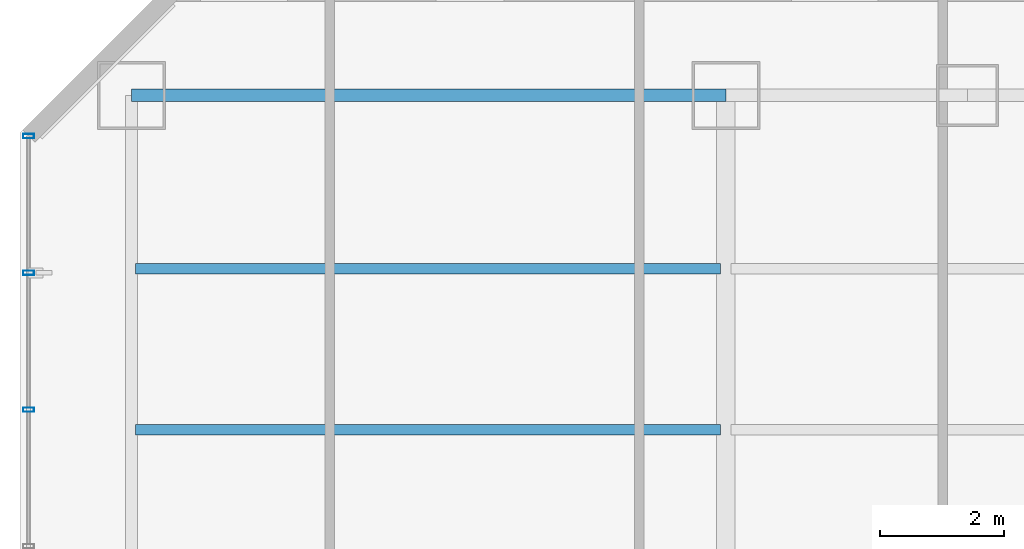
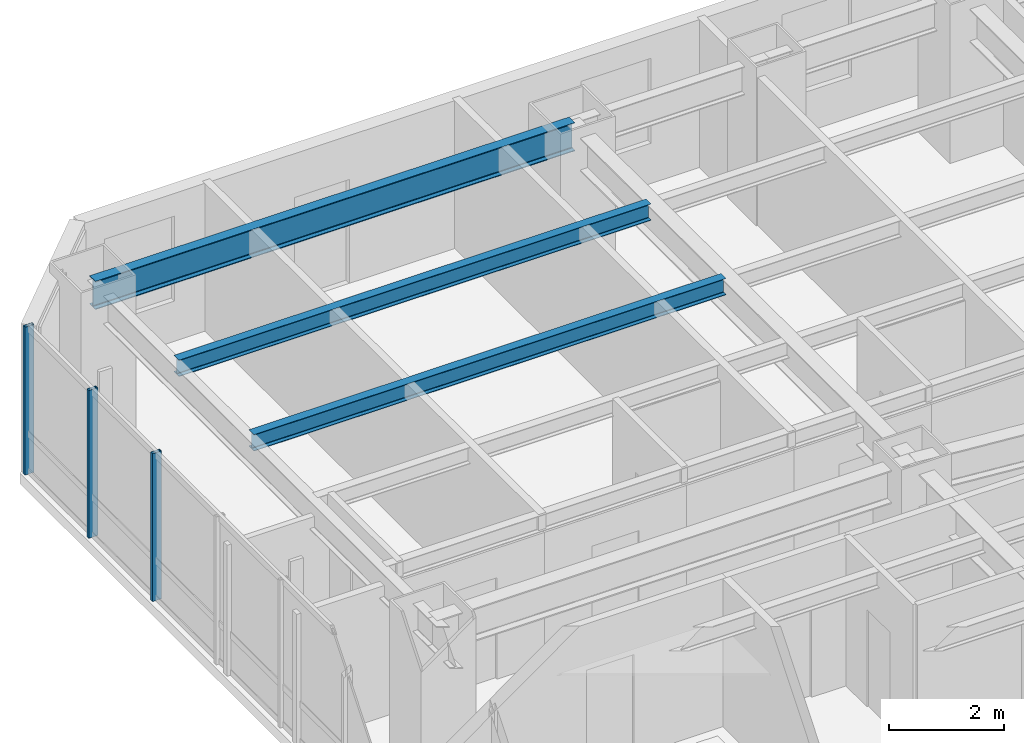
# One storey, part 16 of 38: 3 beams, 3 members, 1 element without a shape of its own.
"""IFC4 building model written with IfcOpenShell, lengths in metres."""

from ifc_helpers import new_model, si_unit, direction, frame, origin, origin_2d, place, context, subcontext, project, spatial, hollow_rectangle, i_section, extrude, material, layer, layer_set, material_profile, profile_set, type_object, element, aggregate, save


model = new_model("IFC4")

# Units and contexts
model_context = context("Model", 3, precision=1e-05, world=origin(), true_north=direction((0.0, 1.0)))
body_context = subcontext(model_context, "Body", "Model", "MODEL_VIEW")
ifc_project = project(units=[si_unit("LENGTHUNIT", "METRE"), si_unit("AREAUNIT", "SQUARE_METRE"), si_unit("VOLUMEUNIT", "CUBIC_METRE"), si_unit("PLANEANGLEUNIT", "RADIAN"), si_unit("MASSUNIT", "GRAM", prefix="KILO")], contexts=[model_context])

# Site, building, storey
site_placement = place(None, origin())
site = spatial("IfcSite", under=ifc_project, at=site_placement, CompositionType="ELEMENT")
building_placement = place(site_placement, origin())
building = spatial("IfcBuilding", under=site, at=building_placement, Name="Hatsunagi Terrace Concourse", CompositionType="ELEMENT")
storey_placement = place(building_placement, frame((0.0, 0.0, 60.050048828125)))
storey = spatial("IfcBuildingStorey", under=building, at=storey_placement, Name="L15", CompositionType="ELEMENT", Elevation=60.050048828125)

# Curtain wall, members
ifc_material_1 = material(Name="Anodised Aluminium Alloy 6063-T5", Category="aluminium")
ifc_layer = layer(ifc_material_1, 0.199951171875)
ifc_layer_set = layer_set([ifc_layer], Name="HotelFacade_CW02")
curtain_wall_type = type_object("IfcCurtainWallType", Name="HotelFacade_CW02", PredefinedType="NOTDEFINED", material=ifc_layer_set)
curtain_wall_placement = place(storey_placement, origin())
curtain_wall = element("IfcCurtainWall", 1, at=curtain_wall_placement, inside=storey, type_object=curtain_wall_type, Name="Unitised Curtain Wall CW-02 CW-L15-09", PredefinedType="NOTDEFINED")
ifc_material_2 = material(Name="Anodised Aluminium Alloy 6063-T5", Category="aluminium")
ifc_material_profile_1 = material_profile(ifc_material_2, hollow_rectangle(XDim=0.070068359375, YDim=0.179931640625, WallThickness=0.00390625, at=origin_2d()), Name="ALU-MUL-180x70x4")
ifc_profile_set_1 = profile_set([ifc_material_profile_1], Name="Anodised Aluminium Alloy 6063-T5")
member_type = type_object("IfcMemberType", Name="CurtainWallMullion_180x70", PredefinedType="MULLION", material=ifc_profile_set_1)
member_1_placement = place(storey_placement, frame((0.139892578125, 43.52490234375, 0.0), z_axis=(0.0, 0.0, 1.0), x_axis=(0.0, 1.0, 0.0)))
member_1 = element("IfcMember", 2, at=member_1_placement, type_object=member_type, Name="Curtain Wall Mullion MUL-02", PredefinedType="MULLION", context=body_context, shape_type="SweptSolid", body=[
    extrude(hollow_rectangle(XDim=0.070068359375, YDim=0.179931640625, WallThickness=0.00390625, at=origin_2d()), origin(), (0.0, 0.0, 1.0), 3.1298828125),
])
member_2_placement = place(storey_placement, frame((0.139892578125, 45.73388671875, 0.0), z_axis=(0.0, 0.0, 1.0), x_axis=(0.0, 1.0, 0.0)))
member_2 = element("IfcMember", 3, at=member_2_placement, type_object=member_type, Name="Curtain Wall Mullion MUL-02", PredefinedType="MULLION", context=body_context, shape_type="SweptSolid", body=[
    extrude(hollow_rectangle(XDim=0.070068359375, YDim=0.179931640625, WallThickness=0.00390625, at=origin_2d()), origin(), (0.0, 0.0, 1.0), 3.1298828125),
])
member_3_placement = place(storey_placement, frame((0.139892578125, 47.94189453125, 0.0), z_axis=(0.0, 0.0, 1.0), x_axis=(0.0, 1.0, 0.0)))
member_3 = element("IfcMember", 4, at=member_3_placement, type_object=member_type, Name="Curtain Wall Mullion MUL-02", PredefinedType="MULLION", context=body_context, shape_type="SweptSolid", body=[
    extrude(hollow_rectangle(XDim=0.070068359375, YDim=0.179931640625, WallThickness=0.00390625, at=origin_2d()), origin(), (0.0, 0.0, 1.0), 3.1298828125),
])
aggregate(curtain_wall, [member_1, member_2, member_3])

# Beams
ifc_material_3 = material(Name="Steel SN490B", Category="steel")
ifc_material_profile_2 = material_profile(ifc_material_3, i_section(OverallWidth=0.175048828125, OverallDepth=0.35009765625, WebThickness=0.007080078125, FlangeThickness=0.010986328125, FilletRadius=0.012939453125, at=origin_2d()), Name="H-350x175x7x11")
ifc_profile_set_2 = profile_set([ifc_material_profile_2], Name="Steel SN490B")
beam_type_1 = type_object("IfcBeamType", Name="HotelJoist_H_350x175", PredefinedType="JOIST", material=ifc_profile_set_2)
for number, where, z_axis, x_axis, name in (
    (5, (1.864990234375, 43.199951171875, 2.954833984375), (1.0, 0.0, 0.0), (0.0, 1.0, 0.0), "Beam J-02 J-L15-W-1-432"),
    (6, (1.864990234375, 45.800048828125, 2.954833984375), (1.0, 0.0, 0.0), (0.0, 1.0, 0.0), "Beam J-02 J-L15-W-1-458"),
):
    element("IfcBeam", number, at=place(storey_placement, frame(where, z_axis=z_axis, x_axis=x_axis)), inside=storey, type_object=beam_type_1, Name=name, PredefinedType="JOIST", context=body_context, shape_type="SweptSolid", body=[
        extrude(i_section(OverallWidth=0.175048828125, OverallDepth=0.35009765625, WebThickness=0.007080078125, FlangeThickness=0.010986328125, FilletRadius=0.012939453125, at=origin_2d()), origin(), (0.0, 0.0, 1.0), 9.449951171875),
    ])
ifc_material_4 = material(Name="Steel SN490B", Category="steel")
ifc_material_profile_3 = material_profile(ifc_material_4, i_section(OverallWidth=0.199951171875, OverallDepth=0.60009765625, WebThickness=0.010986328125, FlangeThickness=0.01708984375, FilletRadius=0.01806640625, at=origin_2d()), Name="H-600x200x11x17")
ifc_profile_set_3 = profile_set([ifc_material_profile_3], Name="Steel SN490B")
beam_type_2 = type_object("IfcBeamType", Name="PerimeterSpandrel_H_600x200", PredefinedType="SPANDREL", material=ifc_profile_set_3)
beam_placement = place(storey_placement, frame((1.800048828125, 48.60009765625, 2.829833984375), z_axis=(1.0, 0.0, 0.0), x_axis=(0.0, 1.0, 0.0)))
element("IfcBeam", 7, at=beam_placement, inside=storey, type_object=beam_type_2, Name="Beam SP-01 BM-L15-WN-1", PredefinedType="SPANDREL", context=body_context, shape_type="SweptSolid", body=[
    extrude(i_section(OverallWidth=0.199951171875, OverallDepth=0.60009765625, WebThickness=0.010986328125, FlangeThickness=0.01708984375, FilletRadius=0.01806640625, at=origin_2d()), origin(), (0.0, 0.0, 1.0), 9.599853515625),
])

save(model, "model.ifc")
